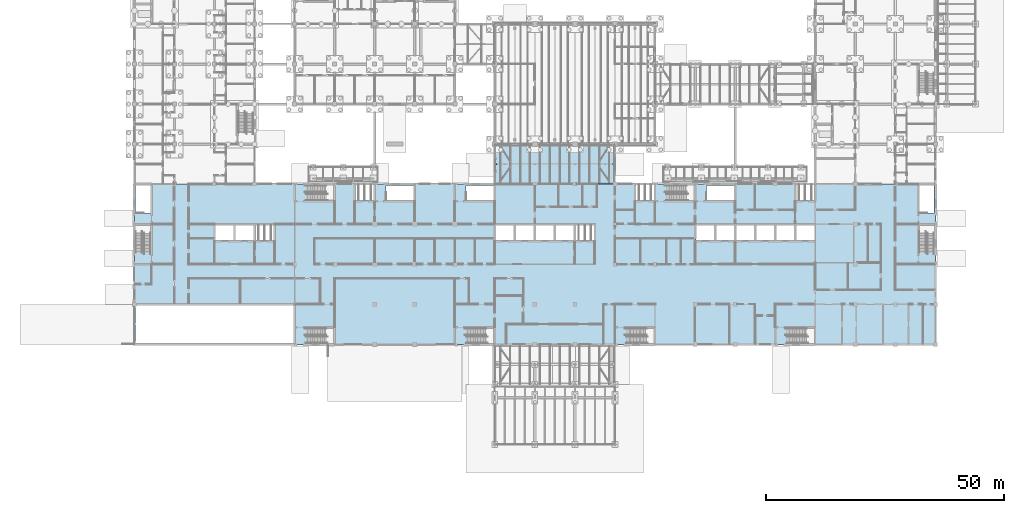
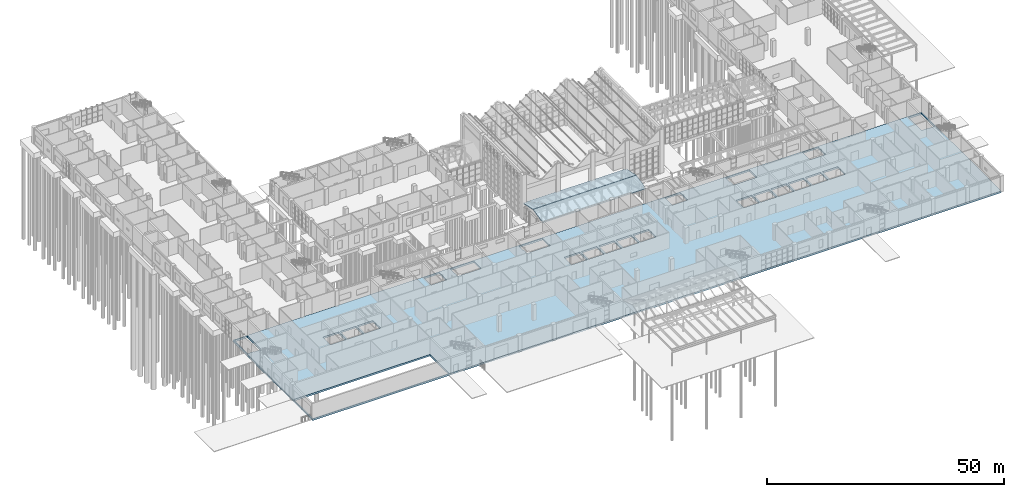
# One storey, part 79 of 138: 3 slabs.
"""IFC4 building model written with IfcOpenShell, lengths in metres."""

from ifc_helpers import new_model, si_unit, direction, frame, origin, place, context, subcontext, project, spatial, polyline, outline, extrude, material, layer, layer_set, type_object, element, save


model = new_model("IFC4")

# Units and contexts
model_context = context("Model", 3, precision=1e-05, world=origin(), true_north=direction((0.0, 1.0)))
body_context = subcontext(model_context, "Body", "Model", "MODEL_VIEW")
ifc_project = project(units=[si_unit("LENGTHUNIT", "METRE"), si_unit("AREAUNIT", "SQUARE_METRE"), si_unit("VOLUMEUNIT", "CUBIC_METRE"), si_unit("PLANEANGLEUNIT", "RADIAN"), si_unit("MASSUNIT", "GRAM", prefix="KILO")], contexts=[model_context])

# Site, building, storey
site_placement = place(None, origin())
site = spatial("IfcSite", under=ifc_project, at=site_placement, CompositionType="ELEMENT")
building_placement = place(site_placement, origin())
building = spatial("IfcBuilding", under=site, at=building_placement, Name="Yavir Park General Hospital", CompositionType="ELEMENT")
storey_placement = place(building_placement, origin())
storey = spatial("IfcBuildingStorey", under=building, at=storey_placement, Name="L00", CompositionType="ELEMENT", Elevation=0.0)

# Slabs
ifc_material_1 = material(Name="Concrete C35/45", Category="concrete")
ifc_layer_1 = layer(ifc_material_1, 0.449951171875)
ifc_layer_set_1 = layer_set([ifc_layer_1], Name="Concrete C35/45")
slab_type_1 = type_object("IfcSlabType", Name="RC SLAB FLOOR 450", PredefinedType="FLOOR", material=ifc_layer_set_1)
slab_placement = place(storey_placement, frame((0.0, 0.0, -0.4501953125)))
element("IfcSlab", 1, at=slab_placement, inside=storey, type_object=slab_type_1, Name="S:L00:0", PredefinedType="FLOOR", context=body_context, shape_type="SweptSolid", body=[
    extrude(outline(polyline([(168.0, 0.0), (168.0, 33.60009765625), (0.0, 33.60009765625), (0.0, 0.0), (168.0, 0.0)]), holes=[polyline([(0.199951171875, 0.199951171875), (0.199951171875, 8.199951171875), (33.39990234375, 8.199951171875), (33.39990234375, 0.199951171875), (0.199951171875, 0.199951171875)]), polyline([(17.0, 25.0), (20.800048828125, 25.0), (20.800048828125, 21.800048828125), (17.0, 21.800048828125), (17.0, 25.0)]), polyline([(21.199951171875, 25.0), (25.0, 25.0), (25.0, 21.800048828125), (21.199951171875, 21.800048828125), (21.199951171875, 25.0)]), polyline([(25.39990234375, 25.0), (29.199951171875, 25.0), (29.199951171875, 21.800048828125), (25.39990234375, 21.800048828125), (25.39990234375, 25.0)]), polyline([(75.800048828125, 25.0), (79.60009765625, 25.0), (79.60009765625, 21.800048828125), (75.800048828125, 21.800048828125), (75.800048828125, 25.0)]), polyline([(80.0, 25.0), (83.800048828125, 25.0), (83.800048828125, 21.800048828125), (80.0, 21.800048828125), (80.0, 25.0)]), polyline([(84.199951171875, 25.0), (88.0, 25.0), (88.0, 21.800048828125), (84.199951171875, 21.800048828125), (84.199951171875, 25.0)]), polyline([(88.39990234375, 21.800048828125), (88.39990234375, 25.0), (92.199951171875, 25.0), (92.199951171875, 21.800048828125), (88.39990234375, 21.800048828125)]), polyline([(46.39990234375, 33.39990234375), (50.199951171875, 33.39990234375), (50.199951171875, 30.199951171875), (46.39990234375, 30.199951171875), (46.39990234375, 33.39990234375)]), polyline([(92.60009765625, 25.0), (96.39990234375, 25.0), (96.39990234375, 21.800048828125), (92.60009765625, 21.800048828125), (92.60009765625, 25.0)]), polyline([(117.800048828125, 25.0), (121.60009765625, 25.0), (121.60009765625, 21.800048828125), (117.800048828125, 21.800048828125), (117.800048828125, 25.0)]), polyline([(122.0, 25.0), (125.800048828125, 25.0), (125.800048828125, 21.800048828125), (122.0, 21.800048828125), (122.0, 25.0)]), polyline([(126.199951171875, 25.0), (130.0, 25.0), (130.0, 21.800048828125), (126.199951171875, 21.800048828125), (126.199951171875, 25.0)]), polyline([(130.39990234375, 25.0), (134.199951171875, 25.0), (134.199951171875, 21.800048828125), (130.39990234375, 21.800048828125), (130.39990234375, 25.0)]), polyline([(134.60009765625, 25.0), (138.39990234375, 25.0), (138.39990234375, 21.800048828125), (134.60009765625, 21.800048828125), (134.60009765625, 25.0)]), polyline([(138.800048828125, 25.0), (142.60009765625, 25.0), (142.60009765625, 21.800048828125), (138.800048828125, 21.800048828125), (138.800048828125, 25.0)]), polyline([(105.199951171875, 33.39990234375), (109.0, 33.39990234375), (109.0, 30.199951171875), (105.199951171875, 30.199951171875), (105.199951171875, 33.39990234375)]), polyline([(138.800048828125, 33.39990234375), (142.60009765625, 33.39990234375), (142.60009765625, 30.199951171875), (138.800048828125, 30.199951171875), (138.800048828125, 33.39990234375)]), polyline([(3.39990234375, 27.6015625), (1.64990234375, 27.6015625), (1.64990234375, 27.75146484375), (0.25, 27.75146484375), (0.25, 33.35009765625), (3.39990234375, 33.35009765625), (3.39990234375, 27.6015625)]), polyline([(58.60009765625, 30.199951171875), (52.951416015625, 30.199951171875), (52.951416015625, 31.60009765625), (52.801513671875, 31.60009765625), (52.801513671875, 33.35009765625), (58.60009765625, 33.35009765625), (58.60009765625, 30.199951171875)]), polyline([(69.75146484375, 31.60009765625), (69.6015625, 31.60009765625), (69.6015625, 33.35009765625), (75.39990234375, 33.35009765625), (75.39990234375, 30.199951171875), (69.75146484375, 30.199951171875), (69.75146484375, 31.60009765625)]), polyline([(120.00146484375, 33.35009765625), (125.800048828125, 33.35009765625), (125.800048828125, 30.199951171875), (120.151611328125, 30.199951171875), (120.151611328125, 31.60009765625), (120.00146484375, 31.60009765625), (120.00146484375, 33.35009765625)]), polyline([(166.0, 27.75146484375), (164.60009765625, 27.75146484375), (164.60009765625, 33.35009765625), (167.75, 33.35009765625), (167.75, 27.6015625), (166.0, 27.6015625), (166.0, 27.75146484375)])]), origin(), (0.0, 0.0, 1.0), 0.4501953125),
])
ifc_material_2 = material(Name="Toughened safety glass", Category="glass")
ifc_layer_2 = layer(ifc_material_2, 0.14990234375)
ifc_layer_set_2 = layer_set([ifc_layer_2], Name="Toughened safety glass")
slab_type_2 = type_object("IfcSlabType", Name="Safety glass roof panel 150", PredefinedType="ROOF", material=ifc_layer_set_2)
for number, where, z_axis, x_axis, name in (
    (2, (75.60009765625, 33.60009765625, 3.800048828125), (0.0, -0.20951737004, 0.977804925152), (1.0, 0.0, 0.0), "Glazed foyer roof glazing FOYER-S1"),
    (3, (75.60009765625, 37.826416015625, 4.6943359375), (0.0, 0.20951737004, 0.977804925152), (1.0, 0.0, 0.0), "Glazed foyer roof glazing FOYER-N1"),
):
    element("IfcSlab", number, at=place(storey_placement, frame(where, z_axis=z_axis, x_axis=x_axis)), inside=storey, type_object=slab_type_2, Name=name, PredefinedType="ROOF", context=body_context, shape_type="SweptSolid", body=[
        extrude(outline(polyline([(0.0, 0.0), (25.199951171875, 0.0), (25.199951171875, 4.268319658674335), (0.0, 4.268319658674335), (0.0, 0.0)])), origin(), (0.0, 0.0, -1.0), 0.14990234375),
    ])

save(model, "model.ifc")
